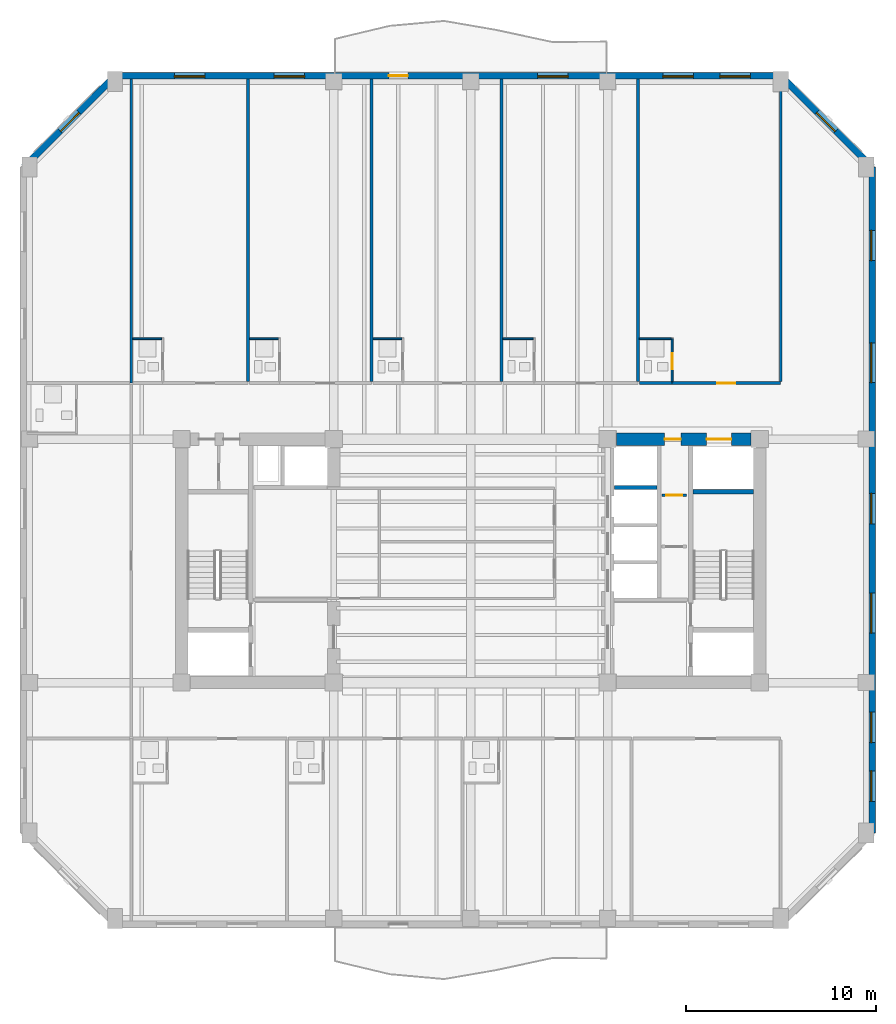
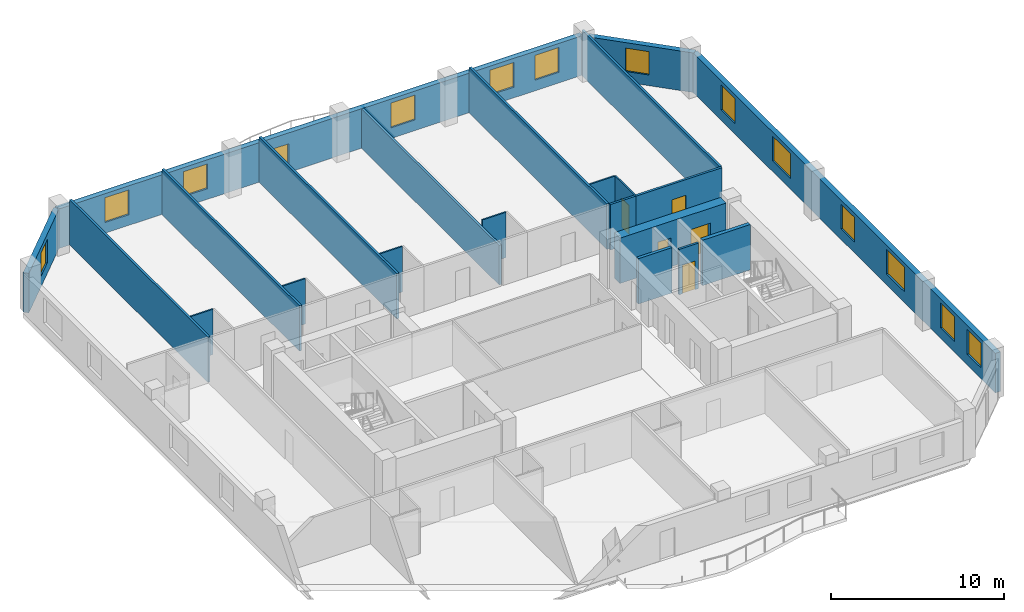
# One storey, part 5 of 11: 22 walls, 13 windows, 6 doors, 19 openings.
"""IFC4 building model written with IfcOpenShell, lengths in metres."""

from ifc_helpers import new_model, si_unit, direction, frame, frame_2d, origin, place, context, subcontext, project, spatial, rectangle, extrude, material, layer, layer_set, type_object, element, fill, save


model = new_model("IFC4")

# Units and contexts
model_context = context("Model", 3, precision=1e-05, world=origin(), true_north=direction((0.0, 1.0)))
body_context = subcontext(model_context, "Body", "Model", "MODEL_VIEW")
ifc_project = project(units=[si_unit("LENGTHUNIT", "METRE"), si_unit("AREAUNIT", "SQUARE_METRE"), si_unit("VOLUMEUNIT", "CUBIC_METRE"), si_unit("PLANEANGLEUNIT", "RADIAN"), si_unit("MASSUNIT", "GRAM", prefix="KILO")], contexts=[model_context])

# Site, building, storey
site_placement = place(None, origin())
site = spatial("IfcSite", under=ifc_project, at=site_placement, CompositionType="ELEMENT")
building_placement = place(site_placement, origin())
building = spatial("IfcBuilding", under=site, at=building_placement, Name="Kranthara Brick Stack", CompositionType="ELEMENT")
storey_placement = place(building_placement, frame((0.0, 0.0, 190.300048828125)))
storey = spatial("IfcBuildingStorey", under=building, at=storey_placement, Name="L49", CompositionType="ELEMENT", Elevation=190.300048828125)

# Wall, opening, window
ifc_material_1 = material(Name="Kiln-fired clay brick masonry M15", Category="masonry")
ifc_layer_1 = layer(ifc_material_1, 0.35009765625)
ifc_layer_set_1 = layer_set([ifc_layer_1], Name="Kiln-fired clay brick masonry M15")
wall_type_1 = type_object("IfcWallType", Name="WL-BRK-SPND-350", PredefinedType="STANDARD", material=ifc_layer_set_1)
wall_1_placement = place(storey_placement, frame((4.4951171875, 47.89990234375, 0.0), z_axis=(0.0, 0.0, 1.0), x_axis=(0.707088817216, 0.7071247447, 0.0)))
wall_1 = element("IfcWall", 1, at=wall_1_placement, inside=storey, type_object=wall_type_1, Name="L49 Exterior Brick Facade Wall NW 1", PredefinedType="STANDARD", context=body_context, shape_type="SweptSolid", body=[
    extrude(rectangle(XDim=6.79541015625, YDim=0.35009765625, at=frame_2d((3.397705078125, 0.0))), origin(), (0.0, 0.0, 1.0), 2.784912109375),
])
opening_1_placement = place(wall_1_placement, frame((2.697998046875, 0.0, 0.75)))
opening_1 = element("IfcOpeningElement", 2, at=opening_1_placement, cuts=wall_1, Name="Opening WN10", PredefinedType="OPENING", context=body_context, shape_type="SweptSolid", body=[
    extrude(rectangle(XDim=1.39990234375, YDim=1.64990234375, at=frame_2d((0.699951171875, 0.824951171875))), frame((0.0, 0.18505859375, 0.0), z_axis=(0.0, -1.0, 0.0), x_axis=(1.0, 0.0, 0.0)), (0.0, 0.0, 1.0), 0.3701171875),
])
ifc_material_2 = material(Name="Double-glazed low-E solar control glass", Category="glass")
window_type_1 = type_object("IfcWindowType", Name="WN-CHM-1400x1750", PartitioningType="SINGLE_PANEL", PredefinedType="WINDOW", material=ifc_material_2)
window_1_placement = place(opening_1_placement, origin())
window_1 = element("IfcWindow", 3, at=window_1_placement, inside=storey, type_object=window_type_1, Name="L49 NW Chamfer Corner Window", OverallHeight=1.64990234375, OverallWidth=1.39990234375, PartitioningType="SINGLE_PANEL", PredefinedType="WINDOW", context=body_context, shape_type="SweptSolid", body=[
    extrude(rectangle(XDim=1.39990234375, YDim=1.64990234375, at=frame_2d((0.699951171875, 0.824951171875))), frame((0.0, -0.010009765625, 0.0), z_axis=(0.0, -1.0, 0.0), x_axis=(1.0, 0.0, 0.0)), (0.0, 0.0, 1.0), 0.06005859375),
])
fill(opening_1, window_1)

# Wall, openings, door, windows
wall_2_placement = place(storey_placement, frame((9.300048828125, 52.705078125, 0.0), z_axis=(0.0, 0.0, 1.0), x_axis=(1.0, 0.0, 0.0)))
wall_2 = element("IfcWall", 4, at=wall_2_placement, inside=storey, type_object=wall_type_1, Name="L49 Exterior Brick Facade Wall NORTH 1", PredefinedType="STANDARD", context=body_context, shape_type="SweptSolid", body=[
    extrude(rectangle(XDim=35.0, YDim=0.35009765625, at=frame_2d((17.5, 0.0))), origin(), (0.0, 0.0, 1.0), 2.784912109375),
])
opening_2_placement = place(wall_2_placement, frame((14.39990234375, 0.0, 0.0)))
opening_2 = element("IfcOpeningElement", 5, at=opening_2_placement, cuts=wall_2, Name="Opening D03", PredefinedType="OPENING", context=body_context, shape_type="SweptSolid", body=[
    extrude(rectangle(XDim=1.0, YDim=2.02001953125, at=frame_2d((0.5, 1.010009765625))), frame((0.0, 0.18505859375, 0.0), z_axis=(0.0, -1.0, 0.0), x_axis=(1.0, 0.0, 0.0)), (0.0, 0.0, 1.0), 0.3701171875),
])
opening_3_placement = place(wall_2_placement, frame((3.123046875, 0.0, 0.75)))
opening_3 = element("IfcOpeningElement", 6, at=opening_3_placement, cuts=wall_2, Name="Opening WN04", PredefinedType="OPENING", context=body_context, shape_type="SweptSolid", body=[
    extrude(rectangle(XDim=1.60009765625, YDim=1.75, at=frame_2d((0.800048828125, 0.875))), frame((0.0, 0.18505859375, 0.0), z_axis=(0.0, -1.0, 0.0), x_axis=(1.0, 0.0, 0.0)), (0.0, 0.0, 1.0), 0.3701171875),
])
opening_4_placement = place(wall_2_placement, frame((8.361083984375, 0.0, 0.75)))
opening_4 = element("IfcOpeningElement", 7, at=opening_4_placement, cuts=wall_2, Name="Opening WN04", PredefinedType="OPENING", context=body_context, shape_type="SweptSolid", body=[
    extrude(rectangle(XDim=1.60009765625, YDim=1.75, at=frame_2d((0.800048828125, 0.875))), frame((0.0, 0.18505859375, 0.0), z_axis=(0.0, -1.0, 0.0), x_axis=(1.0, 0.0, 0.0)), (0.0, 0.0, 1.0), 0.3701171875),
])
opening_5_placement = place(wall_2_placement, frame((22.219970703125, 0.0, 0.75)))
opening_5 = element("IfcOpeningElement", 8, at=opening_5_placement, cuts=wall_2, Name="Opening WN04", PredefinedType="OPENING", context=body_context, shape_type="SweptSolid", body=[
    extrude(rectangle(XDim=1.60009765625, YDim=1.75, at=frame_2d((0.800048828125, 0.875))), frame((0.0, 0.18505859375, 0.0), z_axis=(0.0, -1.0, 0.0), x_axis=(1.0, 0.0, 0.0)), (0.0, 0.0, 1.0), 0.3701171875),
])
opening_6_placement = place(wall_2_placement, frame((28.80908203125, 0.0, 0.75)))
opening_6 = element("IfcOpeningElement", 9, at=opening_6_placement, cuts=wall_2, Name="Opening WN04", PredefinedType="OPENING", context=body_context, shape_type="SweptSolid", body=[
    extrude(rectangle(XDim=1.60009765625, YDim=1.75, at=frame_2d((0.800048828125, 0.875))), frame((0.0, 0.18505859375, 0.0), z_axis=(0.0, -1.0, 0.0), x_axis=(1.0, 0.0, 0.0)), (0.0, 0.0, 1.0), 0.3701171875),
])
opening_7_placement = place(wall_2_placement, frame((31.802978515625, 0.0, 0.75)))
opening_7 = element("IfcOpeningElement", 10, at=opening_7_placement, cuts=wall_2, Name="Opening WN04", PredefinedType="OPENING", context=body_context, shape_type="SweptSolid", body=[
    extrude(rectangle(XDim=1.60009765625, YDim=1.75, at=frame_2d((0.800048828125, 0.875))), frame((0.0, 0.18505859375, 0.0), z_axis=(0.0, -1.0, 0.0), x_axis=(1.0, 0.0, 0.0)), (0.0, 0.0, 1.0), 0.3701171875),
])
ifc_material_3 = material(Name="Bronze anodised aluminium and laminated glass", Category="aluminium")
door_type_1 = type_object("IfcDoorType", Name="DR-BALC-1000", OperationType="NOTDEFINED", PredefinedType="DOOR", material=ifc_material_3)
door_1_placement = place(opening_2_placement, origin())
door_1 = element("IfcDoor", 11, at=door_1_placement, inside=storey, type_object=door_type_1, Name="L49 North Balcony Terrace Door", OperationType="SINGLE_SWING_RIGHT", OverallHeight=2.02001953125, OverallWidth=1.0, PredefinedType="DOOR", context=body_context, shape_type="SweptSolid", body=[
    extrude(rectangle(XDim=1.0, YDim=2.02001953125, at=frame_2d((0.5, 1.010009765625))), frame((0.0, 0.02490234375, 0.0), z_axis=(0.0, -1.0, 0.0), x_axis=(1.0, 0.0, 0.0)), (0.0, 0.0, 1.0), 0.050048828125),
])
fill(opening_2, door_1)
ifc_material_4 = material(Name="Double-glazed low-E solar control glass", Category="glass")
window_type_2 = type_object("IfcWindowType", Name="WN-HTL-1600x1850", PartitioningType="DOUBLE_PANEL_VERTICAL", PredefinedType="WINDOW", material=ifc_material_4)
window_2_placement = place(opening_3_placement, origin())
window_2 = element("IfcWindow", 12, at=window_2_placement, inside=storey, type_object=window_type_2, Name="L49 North Deep-Set Brick Window 01", OverallHeight=1.75, OverallWidth=1.60009765625, PartitioningType="SINGLE_PANEL", PredefinedType="WINDOW", context=body_context, shape_type="SweptSolid", body=[
    extrude(rectangle(XDim=1.60009765625, YDim=1.75, at=frame_2d((0.800048828125, 0.875))), frame((0.0, -0.010009765625, 0.0), z_axis=(0.0, -1.0, 0.0), x_axis=(1.0, 0.0, 0.0)), (0.0, 0.0, 1.0), 0.06005859375),
])
fill(opening_3, window_2)
window_3_placement = place(opening_4_placement, origin())
window_3 = element("IfcWindow", 13, at=window_3_placement, inside=storey, type_object=window_type_2, Name="L49 North Deep-Set Brick Window 02", OverallHeight=1.75, OverallWidth=1.60009765625, PartitioningType="SINGLE_PANEL", PredefinedType="WINDOW", context=body_context, shape_type="SweptSolid", body=[
    extrude(rectangle(XDim=1.60009765625, YDim=1.75, at=frame_2d((0.800048828125, 0.875))), frame((0.0, -0.010009765625, 0.0), z_axis=(0.0, -1.0, 0.0), x_axis=(1.0, 0.0, 0.0)), (0.0, 0.0, 1.0), 0.06005859375),
])
fill(opening_4, window_3)
window_4_placement = place(opening_5_placement, origin())
window_4 = element("IfcWindow", 14, at=window_4_placement, inside=storey, type_object=window_type_2, Name="L49 North Deep-Set Brick Window 03", OverallHeight=1.75, OverallWidth=1.60009765625, PartitioningType="SINGLE_PANEL", PredefinedType="WINDOW", context=body_context, shape_type="SweptSolid", body=[
    extrude(rectangle(XDim=1.60009765625, YDim=1.75, at=frame_2d((0.800048828125, 0.875))), frame((0.0, -0.010009765625, 0.0), z_axis=(0.0, -1.0, 0.0), x_axis=(1.0, 0.0, 0.0)), (0.0, 0.0, 1.0), 0.06005859375),
])
fill(opening_5, window_4)
window_5_placement = place(opening_6_placement, origin())
window_5 = element("IfcWindow", 15, at=window_5_placement, inside=storey, type_object=window_type_2, Name="L49 North Deep-Set Brick Window 04", OverallHeight=1.75, OverallWidth=1.60009765625, PartitioningType="SINGLE_PANEL", PredefinedType="WINDOW", context=body_context, shape_type="SweptSolid", body=[
    extrude(rectangle(XDim=1.60009765625, YDim=1.75, at=frame_2d((0.800048828125, 0.875))), frame((0.0, -0.010009765625, 0.0), z_axis=(0.0, -1.0, 0.0), x_axis=(1.0, 0.0, 0.0)), (0.0, 0.0, 1.0), 0.06005859375),
])
fill(opening_6, window_5)
window_6_placement = place(opening_7_placement, origin())
window_6 = element("IfcWindow", 16, at=window_6_placement, inside=storey, type_object=window_type_2, Name="L49 North Deep-Set Brick Window 05", OverallHeight=1.75, OverallWidth=1.60009765625, PartitioningType="SINGLE_PANEL", PredefinedType="WINDOW", context=body_context, shape_type="SweptSolid", body=[
    extrude(rectangle(XDim=1.60009765625, YDim=1.75, at=frame_2d((0.800048828125, 0.875))), frame((0.0, -0.010009765625, 0.0), z_axis=(0.0, -1.0, 0.0), x_axis=(1.0, 0.0, 0.0)), (0.0, 0.0, 1.0), 0.06005859375),
])
fill(opening_7, window_6)

# Wall, opening, window
wall_3_placement = place(storey_placement, frame((44.300048828125, 52.705078125, 0.0), z_axis=(0.0, 0.0, 1.0), x_axis=(0.707088817216, -0.7071247447, 0.0)))
wall_3 = element("IfcWall", 17, at=wall_3_placement, inside=storey, type_object=wall_type_1, Name="L49 Exterior Brick Facade Wall NE 1", PredefinedType="STANDARD", context=body_context, shape_type="SweptSolid", body=[
    extrude(rectangle(XDim=6.79541015625, YDim=0.35009765625, at=frame_2d((3.397705078125, 0.0))), origin(), (0.0, 0.0, 1.0), 2.784912109375),
])
opening_8_placement = place(wall_3_placement, frame((2.697998046875, 0.0, 0.75)))
opening_8 = element("IfcOpeningElement", 18, at=opening_8_placement, cuts=wall_3, Name="Opening WN10", PredefinedType="OPENING", context=body_context, shape_type="SweptSolid", body=[
    extrude(rectangle(XDim=1.39990234375, YDim=1.64990234375, at=frame_2d((0.699951171875, 0.824951171875))), frame((0.0, 0.18505859375, 0.0), z_axis=(0.0, -1.0, 0.0), x_axis=(1.0, 0.0, 0.0)), (0.0, 0.0, 1.0), 0.3701171875),
])
window_7_placement = place(opening_8_placement, origin())
window_7 = element("IfcWindow", 19, at=window_7_placement, inside=storey, type_object=window_type_1, Name="L49 NE Chamfer Corner Window", OverallHeight=1.64990234375, OverallWidth=1.39990234375, PartitioningType="SINGLE_PANEL", PredefinedType="WINDOW", context=body_context, shape_type="SweptSolid", body=[
    extrude(rectangle(XDim=1.39990234375, YDim=1.64990234375, at=frame_2d((0.699951171875, 0.824951171875))), frame((0.0, -0.010009765625, 0.0), z_axis=(0.0, -1.0, 0.0), x_axis=(1.0, 0.0, 0.0)), (0.0, 0.0, 1.0), 0.06005859375),
])
fill(opening_8, window_7)

# Wall, openings, windows
wall_4_placement = place(storey_placement, frame((49.10498046875, 47.89990234375, 0.0), z_axis=(0.0, 0.0, 1.0), x_axis=(0.0, -1.0, 0.0)))
wall_4 = element("IfcWall", 20, at=wall_4_placement, inside=storey, type_object=wall_type_1, Name="L49 Exterior Brick Facade Wall EAST 1", PredefinedType="STANDARD", context=body_context, shape_type="SweptSolid", body=[
    extrude(rectangle(XDim=35.0, YDim=0.35009765625, at=frame_2d((17.5, 0.0))), origin(), (0.0, 0.0, 1.0), 2.784912109375),
])
opening_9_placement = place(wall_4_placement, frame((3.31591796875, 0.0, 0.75)))
opening_9 = element("IfcOpeningElement", 21, at=opening_9_placement, cuts=wall_4, Name="Opening WN04", PredefinedType="OPENING", context=body_context, shape_type="SweptSolid", body=[
    extrude(rectangle(XDim=1.60009765625, YDim=1.75, at=frame_2d((0.800048828125, 0.875))), frame((0.0, 0.18505859375, 0.0), z_axis=(0.0, -1.0, 0.0), x_axis=(1.0, 0.0, 0.0)), (0.0, 0.0, 1.0), 0.3701171875),
])
opening_10_placement = place(wall_4_placement, frame((9.23388671875, 0.0, 0.75)))
opening_10 = element("IfcOpeningElement", 22, at=opening_10_placement, cuts=wall_4, Name="Opening WN05", PredefinedType="OPENING", context=body_context, shape_type="SweptSolid", body=[
    extrude(rectangle(XDim=2.10009765625, YDim=1.75, at=frame_2d((1.050048828125, 0.875))), frame((0.0, 0.18505859375, 0.0), z_axis=(0.0, -1.0, 0.0), x_axis=(1.0, 0.0, 0.0)), (0.0, 0.0, 1.0), 0.3701171875),
])
opening_11_placement = place(wall_4_placement, frame((17.152099609375, 0.0, 0.75)))
opening_11 = element("IfcOpeningElement", 23, at=opening_11_placement, cuts=wall_4, Name="Opening WN04", PredefinedType="OPENING", context=body_context, shape_type="SweptSolid", body=[
    extrude(rectangle(XDim=1.60009765625, YDim=1.75, at=frame_2d((0.800048828125, 0.875))), frame((0.0, 0.18505859375, 0.0), z_axis=(0.0, -1.0, 0.0), x_axis=(1.0, 0.0, 0.0)), (0.0, 0.0, 1.0), 0.3701171875),
])
opening_12_placement = place(wall_4_placement, frame((22.39794921875, 0.0, 0.75)))
opening_12 = element("IfcOpeningElement", 24, at=opening_12_placement, cuts=wall_4, Name="Opening WN05", PredefinedType="OPENING", context=body_context, shape_type="SweptSolid", body=[
    extrude(rectangle(XDim=2.10009765625, YDim=1.75, at=frame_2d((1.050048828125, 0.875))), frame((0.0, 0.18505859375, 0.0), z_axis=(0.0, -1.0, 0.0), x_axis=(1.0, 0.0, 0.0)), (0.0, 0.0, 1.0), 0.3701171875),
])
opening_13_placement = place(wall_4_placement, frame((28.652099609375, 0.0, 0.75)))
opening_13 = element("IfcOpeningElement", 25, at=opening_13_placement, cuts=wall_4, Name="Opening WN04", PredefinedType="OPENING", context=body_context, shape_type="SweptSolid", body=[
    extrude(rectangle(XDim=1.60009765625, YDim=1.75, at=frame_2d((0.800048828125, 0.875))), frame((0.0, 0.18505859375, 0.0), z_axis=(0.0, -1.0, 0.0), x_axis=(1.0, 0.0, 0.0)), (0.0, 0.0, 1.0), 0.3701171875),
])
opening_14_placement = place(wall_4_placement, frame((31.748046875, 0.0, 0.75)))
opening_14 = element("IfcOpeningElement", 26, at=opening_14_placement, cuts=wall_4, Name="Opening WN04", PredefinedType="OPENING", context=body_context, shape_type="SweptSolid", body=[
    extrude(rectangle(XDim=1.60009765625, YDim=1.75, at=frame_2d((0.800048828125, 0.875))), frame((0.0, 0.18505859375, 0.0), z_axis=(0.0, -1.0, 0.0), x_axis=(1.0, 0.0, 0.0)), (0.0, 0.0, 1.0), 0.3701171875),
])
window_8_placement = place(opening_9_placement, origin())
window_8 = element("IfcWindow", 27, at=window_8_placement, inside=storey, type_object=window_type_2, Name="L49 East Deep-Set Brick Window 01", OverallHeight=1.75, OverallWidth=1.60009765625, PartitioningType="SINGLE_PANEL", PredefinedType="WINDOW", context=body_context, shape_type="SweptSolid", body=[
    extrude(rectangle(XDim=1.60009765625, YDim=1.75, at=frame_2d((0.800048828125, 0.875))), frame((0.0, -0.010009765625, 0.0), z_axis=(0.0, -1.0, 0.0), x_axis=(1.0, 0.0, 0.0)), (0.0, 0.0, 1.0), 0.06005859375),
])
fill(opening_9, window_8)
window_9_placement = place(opening_11_placement, origin())
window_9 = element("IfcWindow", 28, at=window_9_placement, inside=storey, type_object=window_type_2, Name="L49 East Deep-Set Brick Window 03", OverallHeight=1.75, OverallWidth=1.60009765625, PartitioningType="SINGLE_PANEL", PredefinedType="WINDOW", context=body_context, shape_type="SweptSolid", body=[
    extrude(rectangle(XDim=1.60009765625, YDim=1.75, at=frame_2d((0.800048828125, 0.875))), frame((0.0, -0.010009765625, 0.0), z_axis=(0.0, -1.0, 0.0), x_axis=(1.0, 0.0, 0.0)), (0.0, 0.0, 1.0), 0.06005859375),
])
fill(opening_11, window_9)
window_10_placement = place(opening_13_placement, origin())
window_10 = element("IfcWindow", 29, at=window_10_placement, inside=storey, type_object=window_type_2, Name="L49 East Deep-Set Brick Window 05", OverallHeight=1.75, OverallWidth=1.60009765625, PartitioningType="SINGLE_PANEL", PredefinedType="WINDOW", context=body_context, shape_type="SweptSolid", body=[
    extrude(rectangle(XDim=1.60009765625, YDim=1.75, at=frame_2d((0.800048828125, 0.875))), frame((0.0, -0.010009765625, 0.0), z_axis=(0.0, -1.0, 0.0), x_axis=(1.0, 0.0, 0.0)), (0.0, 0.0, 1.0), 0.06005859375),
])
fill(opening_13, window_10)
window_11_placement = place(opening_14_placement, origin())
window_11 = element("IfcWindow", 30, at=window_11_placement, inside=storey, type_object=window_type_2, Name="L49 East Deep-Set Brick Window 06", OverallHeight=1.75, OverallWidth=1.60009765625, PartitioningType="SINGLE_PANEL", PredefinedType="WINDOW", context=body_context, shape_type="SweptSolid", body=[
    extrude(rectangle(XDim=1.60009765625, YDim=1.75, at=frame_2d((0.800048828125, 0.875))), frame((0.0, -0.010009765625, 0.0), z_axis=(0.0, -1.0, 0.0), x_axis=(1.0, 0.0, 0.0)), (0.0, 0.0, 1.0), 0.06005859375),
])
fill(opening_14, window_11)
ifc_material_5 = material(Name="Double-glazed low-E solar control glass", Category="glass")
window_type_3 = type_object("IfcWindowType", Name="WN-HTL-2100x1850", PartitioningType="DOUBLE_PANEL_VERTICAL", PredefinedType="WINDOW", material=ifc_material_5)
window_12_placement = place(opening_10_placement, origin())
window_12 = element("IfcWindow", 31, at=window_12_placement, inside=storey, type_object=window_type_3, Name="L49 East Deep-Set Brick Window 02", OverallHeight=1.75, OverallWidth=2.10009765625, PartitioningType="SINGLE_PANEL", PredefinedType="WINDOW", context=body_context, shape_type="SweptSolid", body=[
    extrude(rectangle(XDim=2.10009765625, YDim=1.75, at=frame_2d((1.050048828125, 0.875))), frame((0.0, -0.010009765625, 0.0), z_axis=(0.0, -1.0, 0.0), x_axis=(1.0, 0.0, 0.0)), (0.0, 0.0, 1.0), 0.06005859375),
])
fill(opening_10, window_12)
window_13_placement = place(opening_12_placement, origin())
window_13 = element("IfcWindow", 32, at=window_13_placement, inside=storey, type_object=window_type_3, Name="L49 East Deep-Set Brick Window 04", OverallHeight=1.75, OverallWidth=2.10009765625, PartitioningType="SINGLE_PANEL", PredefinedType="WINDOW", context=body_context, shape_type="SweptSolid", body=[
    extrude(rectangle(XDim=2.10009765625, YDim=1.75, at=frame_2d((1.050048828125, 0.875))), frame((0.0, -0.010009765625, 0.0), z_axis=(0.0, -1.0, 0.0), x_axis=(1.0, 0.0, 0.0)), (0.0, 0.0, 1.0), 0.06005859375),
])
fill(opening_12, window_13)

# Wall
ifc_material_6 = material(Name="Concrete C50/60", Category="concrete")
ifc_layer_2 = layer(ifc_material_6, 0.25)
ifc_layer_set_2 = layer_set([ifc_layer_2], Name="Concrete C50/60")
wall_type_2 = type_object("IfcWallType", Name="WL-CORE-250", PredefinedType="SHEAR", material=ifc_layer_set_2)
wall_5_placement = place(storey_placement, frame((39.68994140625, 30.830078125, 0.0), z_axis=(0.0, 0.0, 1.0), x_axis=(1.0, 0.0, 0.0)))
element("IfcWall", 33, at=wall_5_placement, inside=storey, type_object=wall_type_2, Name="L49 East Stairwell Bearing Wall EST", PredefinedType="SHEAR", context=body_context, shape_type="SweptSolid", body=[
    extrude(rectangle(XDim=3.175048828125, YDim=0.25, at=frame_2d((1.58740234375, 0.0))), origin(), (0.0, 0.0, 1.0), 3.199951171875),
])

# Wall, openings, doors
ifc_material_7 = material(Name="Concrete C60/75", Category="concrete")
ifc_layer_3 = layer(ifc_material_7, 0.64990234375)
ifc_layer_set_3 = layer_set([ifc_layer_3], Name="Concrete C60/75")
wall_type_3 = type_object("IfcWallType", Name="WL-CORE-650", PredefinedType="SHEAR", material=ifc_layer_set_3)
wall_6_placement = place(storey_placement, frame((35.655029296875, 33.60009765625, 0.0), z_axis=(0.0, 0.0, 1.0), x_axis=(1.0, 0.0, 0.0)))
wall_6 = element("IfcWall", 34, at=wall_6_placement, inside=storey, type_object=wall_type_3, Name="L49 East Core Shear Wall North", PredefinedType="SHEAR", context=body_context, shape_type="SweptSolid", body=[
    extrude(rectangle(XDim=7.090087890625, YDim=0.64990234375, at=frame_2d((3.544921875, 0.0))), origin(), (0.0, 0.0, 1.0), 3.199951171875),
])
opening_15_placement = place(wall_6_placement, frame((4.7451171875, 0.0, 0.0)))
opening_15 = element("IfcOpeningElement", 35, at=opening_15_placement, cuts=wall_6, Name="Opening LD03", PredefinedType="OPENING", context=body_context, shape_type="SweptSolid", body=[
    extrude(rectangle(XDim=1.300048828125, YDim=2.14990234375, at=frame_2d((0.64990234375, 1.074951171875))), frame((0.0, 0.3349609375, 0.0), z_axis=(0.0, -1.0, 0.0), x_axis=(1.0, 0.0, 0.0)), (0.0, 0.0, 1.0), 0.669921875),
])
opening_16_placement = place(wall_6_placement, frame((2.544921875, 0.0, 0.0)))
opening_16 = element("IfcOpeningElement", 36, at=opening_16_placement, cuts=wall_6, Name="Opening D10", PredefinedType="OPENING", context=body_context, shape_type="SweptSolid", body=[
    extrude(rectangle(XDim=0.85009765625, YDim=2.02001953125, at=frame_2d((0.425048828125, 1.010009765625))), frame((0.0, 0.3349609375, 0.0), z_axis=(0.0, -1.0, 0.0), x_axis=(1.0, 0.0, 0.0)), (0.0, 0.0, 1.0), 0.669921875),
])
ifc_material_8 = material(Name="Stainless steel sliding landing door", Category="steel")
door_type_2 = type_object("IfcDoorType", Name="DR-LD-SV1300", OperationType="DOUBLE_DOOR_SLIDING", PredefinedType="DOOR", material=ifc_material_8)
door_2_placement = place(opening_15_placement, origin())
door_2 = element("IfcDoor", 37, at=door_2_placement, inside=storey, type_object=door_type_2, Name="L49 Stretcher Service Lift SV-01 Landing Door", OperationType="DOUBLE_DOOR_SLIDING", OverallHeight=2.14990234375, OverallWidth=1.300048828125, PredefinedType="DOOR", context=body_context, shape_type="SweptSolid", body=[
    extrude(rectangle(XDim=1.300048828125, YDim=2.14990234375, at=frame_2d((0.64990234375, 1.074951171875))), frame((0.0, 0.02490234375, 0.0), z_axis=(0.0, -1.0, 0.0), x_axis=(1.0, 0.0, 0.0)), (0.0, 0.0, 1.0), 0.050048828125),
])
fill(opening_15, door_2)
ifc_material_9 = material(Name="Solid-core hardwood timber leaf in steel frame", Category="steel")
door_type_3 = type_object("IfcDoorType", Name="DR-RSR-850", OperationType="NOTDEFINED", PredefinedType="DOOR", material=ifc_material_9)
door_3_placement = place(opening_16_placement, origin())
door_3 = element("IfcDoor", 38, at=door_3_placement, inside=storey, type_object=door_type_3, Name="L49 East Core Service Room Door", OperationType="SINGLE_SWING_LEFT", OverallHeight=2.02001953125, OverallWidth=0.85009765625, PredefinedType="DOOR", context=body_context, shape_type="SweptSolid", body=[
    extrude(rectangle(XDim=0.85009765625, YDim=2.02001953125, at=frame_2d((0.425048828125, 1.010009765625))), frame((0.0, 0.02490234375, 0.0), z_axis=(0.0, -1.0, 0.0), x_axis=(1.0, 0.0, 0.0)), (0.0, 0.0, 1.0), 0.050048828125),
])
fill(opening_16, door_3)

# Walls
ifc_material_10 = material(Name="Moisture-resistant wet-room partition", Category="other")
ifc_layer_4 = layer(ifc_material_10, 0.10009765625)
ifc_layer_set_4 = layer_set([ifc_layer_4], Name="Moisture-resistant wet-room partition")
wall_type_4 = type_object("IfcWallType", Name="WL-PART-100", PredefinedType="PARTITIONING", material=ifc_layer_set_4)
for number, where, z_axis, x_axis, name in (
    (39, (10.22998046875, 38.8798828125, 0.0), (0.0, 0.0, 1.0), (1.0, 0.0, 0.0), "L49 Interior Partition 031"),
    (40, (16.376953125, 38.8798828125, 0.0), (0.0, 0.0, 1.0), (1.0, 0.0, 0.0), "L49 Interior Partition 036"),
):
    element("IfcWall", number, at=place(storey_placement, frame(where, z_axis=z_axis, x_axis=x_axis)), inside=storey, type_object=wall_type_4, Name=name, PredefinedType="PARTITIONING", context=body_context, shape_type="SweptSolid", body=[
        extrude(rectangle(XDim=1.51513671875, YDim=0.10009765625, at=frame_2d((0.757568359375, 0.0))), origin(), (0.0, 0.0, 1.0), 3.199951171875),
    ])
wall_7_placement = place(storey_placement, frame((22.864990234375, 38.8798828125, 0.0), z_axis=(0.0, 0.0, 1.0), x_axis=(1.0, 0.0, 0.0)))
element("IfcWall", 41, at=wall_7_placement, inside=storey, type_object=wall_type_4, Name="L49 Interior Partition 041", PredefinedType="PARTITIONING", context=body_context, shape_type="SweptSolid", body=[
    extrude(rectangle(XDim=1.514892578125, YDim=0.10009765625, at=frame_2d((0.75732421875, 0.0))), origin(), (0.0, 0.0, 1.0), 3.199951171875),
])
wall_8_placement = place(storey_placement, frame((29.695068359375, 38.8798828125, 0.0), z_axis=(0.0, 0.0, 1.0), x_axis=(1.0, 0.0, 0.0)))
element("IfcWall", 42, at=wall_8_placement, inside=storey, type_object=wall_type_4, Name="L49 Interior Partition 046", PredefinedType="PARTITIONING", context=body_context, shape_type="SweptSolid", body=[
    extrude(rectangle(XDim=1.586181640625, YDim=0.10009765625, at=frame_2d((0.79296875, 0.0))), origin(), (0.0, 0.0, 1.0), 3.199951171875),
])

# Wall, opening, door
wall_9_placement = place(storey_placement, frame((38.590087890625, 36.6298828125, 0.0), z_axis=(0.0, 0.0, 1.0), x_axis=(0.0, 1.0, 0.0)))
wall_9 = element("IfcWall", 43, at=wall_9_placement, inside=storey, type_object=wall_type_4, Name="L49 Interior Partition 050", PredefinedType="PARTITIONING", context=body_context, shape_type="SweptSolid", body=[
    extrude(rectangle(XDim=2.25, YDim=0.10009765625, at=frame_2d((1.125, 0.0))), origin(), (0.0, 0.0, 1.0), 3.199951171875),
])
opening_17_placement = place(wall_9_placement, frame((0.639892578125, 0.0, 0.0)))
opening_17 = element("IfcOpeningElement", 44, at=opening_17_placement, cuts=wall_9, Name="Opening D17", PredefinedType="OPENING", context=body_context, shape_type="SweptSolid", body=[
    extrude(rectangle(XDim=0.85009765625, YDim=2.050048828125, at=frame_2d((0.425048828125, 1.02490234375))), frame((0.0, 0.06005859375, 0.0), z_axis=(0.0, -1.0, 0.0), x_axis=(1.0, 0.0, 0.0)), (0.0, 0.0, 1.0), 0.1201171875),
])
ifc_material_11 = material(Name="Solid-core hardwood timber leaf in steel frame", Category="steel")
door_type_4 = type_object("IfcDoorType", Name="DR-WET-850", OperationType="NOTDEFINED", PredefinedType="DOOR", material=ifc_material_11)
door_4_placement = place(opening_17_placement, origin())
door_4 = element("IfcDoor", 45, at=door_4_placement, inside=storey, type_object=door_type_4, Name="L49 Key 09 En-Suite Door 22", OperationType="SINGLE_SWING_RIGHT", OverallHeight=2.050048828125, OverallWidth=0.85009765625, PredefinedType="DOOR", context=body_context, shape_type="SweptSolid", body=[
    extrude(rectangle(XDim=0.85009765625, YDim=2.050048828125, at=frame_2d((0.425048828125, 1.02490234375))), frame((0.0, 0.02490234375, 0.0), z_axis=(0.0, -1.0, 0.0), x_axis=(1.0, 0.0, 0.0)), (0.0, 0.0, 1.0), 0.050048828125),
])
fill(opening_17, door_4)

# Wall
wall_10_placement = place(storey_placement, frame((36.866943359375, 38.8798828125, 0.0), z_axis=(0.0, 0.0, 1.0), x_axis=(1.0, 0.0, 0.0)))
element("IfcWall", 46, at=wall_10_placement, inside=storey, type_object=wall_type_4, Name="L49 Interior Partition 051", PredefinedType="PARTITIONING", context=body_context, shape_type="SweptSolid", body=[
    extrude(rectangle(XDim=1.668212890625, YDim=0.10009765625, at=frame_2d((0.833984375, 0.0))), origin(), (0.0, 0.0, 1.0), 3.199951171875),
])

# Wall, opening, door
ifc_material_12 = material(Name="Fire-rated gypsum board partition", Category="other")
ifc_layer_5 = layer(ifc_material_12, 0.14990234375)
ifc_layer_set_5 = layer_set([ifc_layer_5], Name="Fire-rated gypsum board partition")
wall_type_5 = type_object("IfcWallType", Name="WL-PART-150", PredefinedType="PARTITIONING", material=ifc_layer_set_5)
wall_11_placement = place(storey_placement, frame((38.050048828125, 30.64990234375, 0.0), z_axis=(0.0, 0.0, 1.0), x_axis=(1.0, 0.0, 0.0)))
wall_11 = element("IfcWall", 47, at=wall_11_placement, inside=storey, type_object=wall_type_5, Name="L49 Interior Partition 003", PredefinedType="PARTITIONING", context=body_context, shape_type="SweptSolid", body=[
    extrude(rectangle(XDim=1.300048828125, YDim=0.14990234375, at=frame_2d((0.64990234375, 0.0))), origin(), (0.0, 0.0, 1.0), 3.199951171875),
])
opening_18_placement = place(wall_11_placement, frame((0.219970703125, 0.0, 0.0)))
opening_18 = element("IfcOpeningElement", 48, at=opening_18_placement, cuts=wall_11, Name="Opening D10", PredefinedType="OPENING", context=body_context, shape_type="SweptSolid", body=[
    extrude(rectangle(XDim=0.85009765625, YDim=2.02001953125, at=frame_2d((0.425048828125, 1.010009765625))), frame((0.0, 0.0849609375, 0.0), z_axis=(0.0, -1.0, 0.0), x_axis=(1.0, 0.0, 0.0)), (0.0, 0.0, 1.0), 0.169921875),
])
door_5_placement = place(opening_18_placement, origin())
door_5 = element("IfcDoor", 49, at=door_5_placement, inside=storey, type_object=door_type_3, Name="L49 Riser Door 2 03", OperationType="SINGLE_SWING_LEFT", OverallHeight=2.02001953125, OverallWidth=0.85009765625, PredefinedType="DOOR", context=body_context, shape_type="SweptSolid", body=[
    extrude(rectangle(XDim=0.85009765625, YDim=2.02001953125, at=frame_2d((0.425048828125, 1.010009765625))), frame((0.0, 0.02490234375, 0.0), z_axis=(0.0, -1.0, 0.0), x_axis=(1.0, 0.0, 0.0)), (0.0, 0.0, 1.0), 0.050048828125),
])
fill(opening_18, door_5)

# Walls
wall_12_placement = place(storey_placement, frame((10.14990234375, 36.550048828125, 0.0), z_axis=(0.0, 0.0, 1.0), x_axis=(0.0, 1.0, 0.0)))
element("IfcWall", 50, at=wall_12_placement, inside=storey, type_object=wall_type_5, Name="L49 Interior Partition 027", PredefinedType="PARTITIONING", context=body_context, shape_type="SweptSolid", body=[
    extrude(rectangle(XDim=15.974853515625, YDim=0.14990234375, at=frame_2d((7.9873046875, 0.0))), origin(), (0.0, 0.0, 1.0), 3.199951171875),
])
for number, where, z_axis, x_axis, name in (
    (51, (16.297119140625, 36.6298828125, 0.0), (0.0, 0.0, 1.0), (0.0, 1.0, 0.0), "L49 Interior Partition 032"),
    (52, (22.784912109375, 36.6298828125, 0.0), (0.0, 0.0, 1.0), (0.0, 1.0, 0.0), "L49 Interior Partition 037"),
):
    element("IfcWall", number, at=place(storey_placement, frame(where, z_axis=z_axis, x_axis=x_axis)), inside=storey, type_object=wall_type_5, Name=name, PredefinedType="PARTITIONING", context=body_context, shape_type="SweptSolid", body=[
        extrude(rectangle(XDim=15.89501953125, YDim=0.14990234375, at=frame_2d((7.947509765625, 0.0))), origin(), (0.0, 0.0, 1.0), 3.199951171875),
    ])
wall_13_placement = place(storey_placement, frame((29.614990234375, 36.6298828125, 0.0), z_axis=(0.0, 0.0, 1.0), x_axis=(0.0, 1.0, 0.0)))
element("IfcWall", 53, at=wall_13_placement, inside=storey, type_object=wall_type_5, Name="L49 Interior Partition 042", PredefinedType="PARTITIONING", context=body_context, shape_type="SweptSolid", body=[
    extrude(rectangle(XDim=15.89501953125, YDim=0.14990234375, at=frame_2d((7.947509765625, 0.0))), origin(), (0.0, 0.0, 1.0), 2.784912109375),
])
wall_14_placement = place(storey_placement, frame((36.787109375, 36.6298828125, 0.0), z_axis=(0.0, 0.0, 1.0), x_axis=(0.0, 1.0, 0.0)))
element("IfcWall", 54, at=wall_14_placement, inside=storey, type_object=wall_type_5, Name="L49 Interior Partition 047", PredefinedType="PARTITIONING", context=body_context, shape_type="SweptSolid", body=[
    extrude(rectangle(XDim=15.89501953125, YDim=0.14990234375, at=frame_2d((7.947509765625, 0.0))), origin(), (0.0, 0.0, 1.0), 3.199951171875),
])
wall_15_placement = place(storey_placement, frame((36.866943359375, 36.550048828125, 0.0), z_axis=(0.0, 0.0, 1.0), x_axis=(1.0, 0.0, 0.0)))
element("IfcWall", 55, at=wall_15_placement, inside=storey, type_object=wall_type_5, Name="L49 Interior Partition 048", PredefinedType="PARTITIONING", context=body_context, shape_type="SweptSolid", body=[
    extrude(rectangle(XDim=1.72314453125, YDim=0.14990234375, at=frame_2d((0.861572265625, 0.0))), origin(), (0.0, 0.0, 1.0), 3.199951171875),
])

# Wall, opening, door
wall_16_placement = place(storey_placement, frame((38.590087890625, 36.550048828125, 0.0), z_axis=(0.0, 0.0, 1.0), x_axis=(1.0, 0.0, 0.0)))
wall_16 = element("IfcWall", 56, at=wall_16_placement, inside=storey, type_object=wall_type_5, Name="L49 Interior Partition 049", PredefinedType="PARTITIONING", context=body_context, shape_type="SweptSolid", body=[
    extrude(rectangle(XDim=5.7099609375, YDim=0.14990234375, at=frame_2d((2.85498046875, 0.0))), origin(), (0.0, 0.0, 1.0), 3.199951171875),
])
opening_19_placement = place(wall_16_placement, frame((2.375, 0.0, 0.0)))
opening_19 = element("IfcOpeningElement", 57, at=opening_19_placement, cuts=wall_16, Name="Opening D09", PredefinedType="OPENING", context=body_context, shape_type="SweptSolid", body=[
    extrude(rectangle(XDim=0.949951171875, YDim=2.10009765625, at=frame_2d((0.47509765625, 1.050048828125))), frame((0.0, 0.0849609375, 0.0), z_axis=(0.0, -1.0, 0.0), x_axis=(1.0, 0.0, 0.0)), (0.0, 0.0, 1.0), 0.169921875),
])
ifc_material_13 = material(Name="Solid-core hardwood timber leaf in steel frame", Category="steel")
door_type_5 = type_object("IfcDoorType", Name="DR-FD-950", OperationType="NOTDEFINED", PredefinedType="DOOR", material=ifc_material_13)
door_6_placement = place(opening_19_placement, origin())
door_6 = element("IfcDoor", 58, at=door_6_placement, inside=storey, type_object=door_type_5, Name="L49 Key 09 Entry 23", OperationType="SINGLE_SWING_LEFT", OverallHeight=2.10009765625, OverallWidth=0.949951171875, PredefinedType="DOOR", context=body_context, shape_type="SweptSolid", body=[
    extrude(rectangle(XDim=0.949951171875, YDim=2.10009765625, at=frame_2d((0.47509765625, 1.050048828125))), frame((0.0, 0.02490234375, 0.0), z_axis=(0.0, -1.0, 0.0), x_axis=(1.0, 0.0, 0.0)), (0.0, 0.0, 1.0), 0.050048828125),
])
fill(opening_19, door_6)

# Walls
wall_17_placement = place(storey_placement, frame((44.300048828125, 36.6298828125, 0.0), z_axis=(0.0, 0.0, 1.0), x_axis=(0.0, 1.0, 0.0)))
element("IfcWall", 59, at=wall_17_placement, inside=storey, type_object=wall_type_5, Name="L49 Interior Partition 052", PredefinedType="PARTITIONING", context=body_context, shape_type="SweptSolid", body=[
    extrude(rectangle(XDim=15.89501953125, YDim=0.14990234375, at=frame_2d((7.947509765625, 0.0))), origin(), (0.0, 0.0, 1.0), 3.199951171875),
])
ifc_material_14 = material(Name="Concrete C40/50", Category="concrete")
ifc_layer_6 = layer(ifc_material_14, 0.199951171875)
ifc_layer_set_6 = layer_set([ifc_layer_6], Name="Concrete C40/50")
wall_type_6 = type_object("IfcWallType", Name="WL-PART-200", PredefinedType="SOLIDWALL", material=ifc_layer_set_6)
wall_18_placement = place(storey_placement, frame((35.550048828125, 31.050048828125, 0.0), z_axis=(0.0, 0.0, 1.0), x_axis=(1.0, 0.0, 0.0)))
element("IfcWall", 60, at=wall_18_placement, inside=storey, type_object=wall_type_6, Name="L49 East Core Cross Wall EE4", PredefinedType="SOLIDWALL", context=body_context, shape_type="SweptSolid", body=[
    extrude(rectangle(XDim=2.25, YDim=0.199951171875, at=frame_2d((1.125, 0.0))), origin(), (0.0, 0.0, 1.0), 3.199951171875),
])

save(model, "model.ifc")
